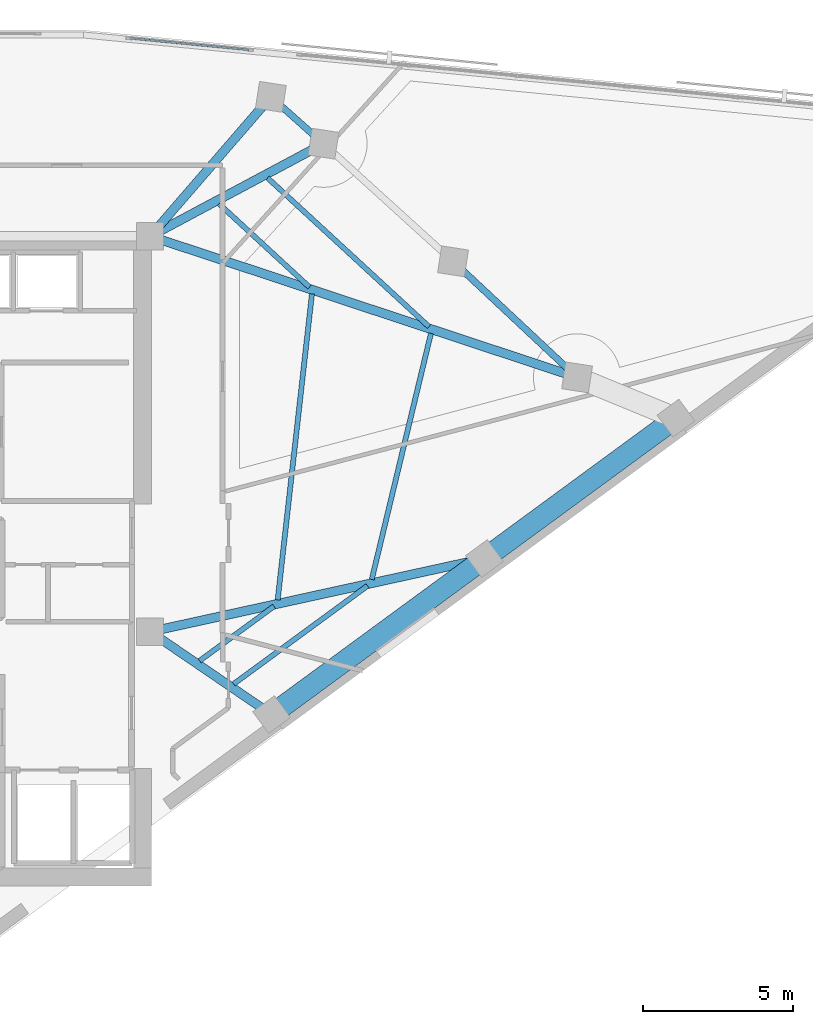
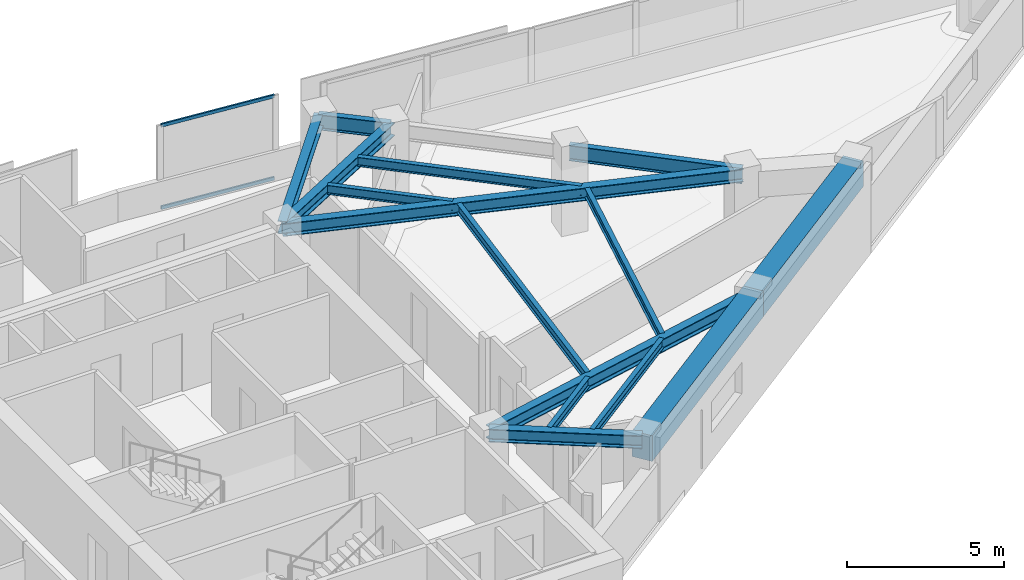
# One storey, part 4 of 13: 15 beams, 2 members, 1 element without a shape of its own.
"""IFC4 building model written with IfcOpenShell, lengths in metres."""

from ifc_helpers import new_model, si_unit, direction, frame, origin, origin_2d, place, context, subcontext, project, spatial, rectangle, hollow_rectangle, i_section, extrude, material, material_profile, profile_set, type_object, element, aggregate, save


model = new_model("IFC4")

# Units and contexts
model_context = context("Model", 3, precision=1e-05, world=origin(), true_north=direction((0.0, 1.0)))
body_context = subcontext(model_context, "Body", "Model", "MODEL_VIEW")
ifc_project = project(units=[si_unit("LENGTHUNIT", "METRE"), si_unit("AREAUNIT", "SQUARE_METRE"), si_unit("VOLUMEUNIT", "CUBIC_METRE"), si_unit("PLANEANGLEUNIT", "RADIAN"), si_unit("MASSUNIT", "GRAM", prefix="KILO")], contexts=[model_context])

# Site, building, storey
site_placement = place(None, origin())
site = spatial("IfcSite", under=ifc_project, at=site_placement, CompositionType="ELEMENT")
building_placement = place(site_placement, origin())
building = spatial("IfcBuilding", under=site, at=building_placement, Name="Narakoshi Arena Tower", CompositionType="ELEMENT")
storey_placement = place(building_placement, frame((0.0, 0.0, 257.219970703125)))
storey = spatial("IfcBuildingStorey", under=building, at=storey_placement, Name="L70", CompositionType="ELEMENT", Elevation=257.219970703125)

# Beams
ifc_material_1 = material(Name="Concrete C60/75", Category="concrete")
ifc_material_profile_1 = material_profile(ifc_material_1, rectangle(XDim=0.699951171875, YDim=1.0, at=origin_2d()), Name="RCB700x1000")
ifc_profile_set_1 = profile_set([ifc_material_profile_1], Name="Concrete C60/75")
beam_type_1 = type_object("IfcBeamType", Name="BM-CPL-1000", PredefinedType="BEAM", material=ifc_profile_set_1)
beam_1_placement = place(storey_placement, frame((89.58642578125, 40.594482421875, 2.760009765625), z_axis=(0.806446564509, 0.591306974922, 0.0), x_axis=(-0.591306974922, 0.806446564509, 0.0)))
element("IfcBeam", 1, at=beam_1_placement, inside=storey, type_object=beam_type_1, Name="L70 Perimeter Edge Girder 01", PredefinedType="BEAM", context=body_context, shape_type="SweptSolid", body=[
    extrude(rectangle(XDim=0.699951171875, YDim=1.0, at=origin_2d()), origin(), (0.0, 0.0, 1.0), 8.775390625),
])
beam_2_placement = place(storey_placement, frame((96.663330078125, 45.783447265625, 2.760009765625), z_axis=(0.806437425649, 0.59131943864, 0.0), x_axis=(-0.59131943864, 0.806437425649, 0.0)))
element("IfcBeam", 2, at=beam_2_placement, inside=storey, type_object=beam_type_1, Name="L70 Perimeter Edge Girder 02", PredefinedType="BEAM", context=body_context, shape_type="SweptSolid", body=[
    extrude(rectangle(XDim=0.699951171875, YDim=1.0, at=origin_2d()), origin(), (0.0, 0.0, 1.0), 7.89794921875),
])
ifc_material_2 = material(Name="Structural steel S355J2", Category="steel")
ifc_material_profile_2 = material_profile(ifc_material_2, i_section(OverallWidth=0.219970703125, OverallDepth=0.60009765625, WebThickness=0.011962890625, FlangeThickness=0.01904296875, FilletRadius=0.02392578125, at=origin_2d()), Name="IPE600")
ifc_profile_set_2 = profile_set([ifc_material_profile_2], Name="Structural steel S355J2")
beam_type_2 = type_object("IfcBeamType", Name="BM-EDGE-600", PredefinedType="BEAM", material=ifc_profile_set_2)
beam_3_placement = place(storey_placement, frame((99.74267578125, 51.80712890625, 2.9599609375), z_axis=(-0.730193480459, 0.683240427006, 0.0), x_axis=(-0.683240427006, -0.730193480459, 0.0)))
element("IfcBeam", 3, at=beam_3_placement, inside=storey, type_object=beam_type_2, Name="L70 Perimeter Edge Girder 04", PredefinedType="BEAM", context=body_context, shape_type="SweptSolid", body=[
    extrude(i_section(OverallWidth=0.219970703125, OverallDepth=0.60009765625, WebThickness=0.011962890625, FlangeThickness=0.01904296875, FilletRadius=0.02392578125, at=origin_2d()), origin(), (0.0, 0.0, 1.0), 5.646728515625),
])
beam_4_placement = place(storey_placement, frame((91.311279296875, 59.576416015625, 2.9599609375), z_axis=(-0.746770864852, 0.665081405099, 0.0), x_axis=(-0.665081405099, -0.746770864852, 0.0)))
element("IfcBeam", 4, at=beam_4_placement, inside=storey, type_object=beam_type_2, Name="L70 Perimeter Edge Girder 06", PredefinedType="BEAM", context=body_context, shape_type="SweptSolid", body=[
    extrude(i_section(OverallWidth=0.219970703125, OverallDepth=0.60009765625, WebThickness=0.011962890625, FlangeThickness=0.01904296875, FilletRadius=0.02392578125, at=origin_2d()), origin(), (0.0, 0.0, 1.0), 2.343017578125),
])
ifc_material_profile_3 = material_profile(ifc_material_2, i_section(OverallWidth=0.300048828125, OverallDepth=0.5, WebThickness=0.014404296875, FlangeThickness=0.028076171875, FilletRadius=0.027099609375, at=origin_2d()), Name="HE500B")
ifc_profile_set_3 = profile_set([ifc_material_profile_3], Name="Structural steel S355J2")
beam_type_3 = type_object("IfcBeamType", Name="BM-PRI-500", PredefinedType="BEAM", material=ifc_profile_set_3)
beam_5_placement = place(storey_placement, frame((85.550048828125, 43.35009765625, 3.010009765625), z_axis=(0.825890057955, -0.563831191201, 0.0), x_axis=(0.563831191201, 0.825890057955, 0.0)))
element("IfcBeam", 5, at=beam_5_placement, inside=storey, type_object=beam_type_3, Name="L70 Radial Primary Floor Girder 01", PredefinedType="BEAM", context=body_context, shape_type="SweptSolid", body=[
    extrude(i_section(OverallWidth=0.300048828125, OverallDepth=0.5, WebThickness=0.014404296875, FlangeThickness=0.028076171875, FilletRadius=0.027099609375, at=origin_2d()), origin(), (0.0, 0.0, 1.0), 4.88720703125),
])
beam_6_placement = place(storey_placement, frame((85.550048828125, 43.35009765625, 3.010009765625), z_axis=(0.976857438099, 0.213891434216, 0.0), x_axis=(-0.213891434216, 0.976857438099, 0.0)))
element("IfcBeam", 6, at=beam_6_placement, inside=storey, type_object=beam_type_3, Name="L70 Radial Primary Floor Girder 02", PredefinedType="BEAM", context=body_context, shape_type="SweptSolid", body=[
    extrude(i_section(OverallWidth=0.300048828125, OverallDepth=0.5, WebThickness=0.014404296875, FlangeThickness=0.028076171875, FilletRadius=0.027099609375, at=origin_2d()), origin(), (0.0, 0.0, 1.0), 11.37646484375),
])
beam_7_placement = place(storey_placement, frame((85.550048828125, 56.5, 3.010009765625), z_axis=(0.949443255158, -0.31393869662, 0.0), x_axis=(0.31393869662, 0.949443255158, 0.0)))
element("IfcBeam", 7, at=beam_7_placement, inside=storey, type_object=beam_type_3, Name="L70 Radial Primary Floor Girder 04", PredefinedType="BEAM", context=body_context, shape_type="SweptSolid", body=[
    extrude(i_section(OverallWidth=0.300048828125, OverallDepth=0.5, WebThickness=0.014404296875, FlangeThickness=0.028076171875, FilletRadius=0.027099609375, at=origin_2d()), origin(), (0.0, 0.0, 1.0), 14.948486328125),
])
beam_8_placement = place(storey_placement, frame((85.550048828125, 56.5, 3.010009765625), z_axis=(0.882113796729, 0.471036357004, 0.0), x_axis=(-0.471036357004, 0.882113796729, 0.0)))
element("IfcBeam", 8, at=beam_8_placement, inside=storey, type_object=beam_type_3, Name="L70 Radial Primary Floor Girder 06", PredefinedType="BEAM", context=body_context, shape_type="SweptSolid", body=[
    extrude(i_section(OverallWidth=0.300048828125, OverallDepth=0.5, WebThickness=0.014404296875, FlangeThickness=0.028076171875, FilletRadius=0.027099609375, at=origin_2d()), origin(), (0.0, 0.0, 1.0), 6.53125),
])
beam_9_placement = place(storey_placement, frame((85.550048828125, 56.5, 3.010009765625), z_axis=(0.654434553487, 0.756118651537, 0.0), x_axis=(-0.756118651537, 0.654434553487, 0.0)))
element("IfcBeam", 9, at=beam_9_placement, inside=storey, type_object=beam_type_3, Name="L70 Radial Primary Floor Girder 07", PredefinedType="BEAM", context=body_context, shape_type="SweptSolid", body=[
    extrude(i_section(OverallWidth=0.300048828125, OverallDepth=0.5, WebThickness=0.014404296875, FlangeThickness=0.028076171875, FilletRadius=0.027099609375, at=origin_2d()), origin(), (0.0, 0.0, 1.0), 6.129638671875),
])
ifc_material_profile_4 = material_profile(ifc_material_2, i_section(OverallWidth=0.169921875, OverallDepth=0.360107421875, WebThickness=0.008056640625, FlangeThickness=0.0126953125, FilletRadius=0.01806640625, at=origin_2d()), Name="IPE360")
ifc_profile_set_4 = profile_set([ifc_material_profile_4], Name="Structural steel S355J2")
beam_type_4 = type_object("IfcBeamType", Name="BM-SEC-360", PredefinedType="JOIST", material=ifc_profile_set_4)
beam_10_placement = place(storey_placement, frame((87.192626953125, 42.3828125, 3.080078125), z_axis=(0.806491095196, 0.59124623751, 0.0), x_axis=(-0.59124623751, 0.806491095196, 0.0)))
element("IfcBeam", 10, at=beam_10_placement, inside=storey, type_object=beam_type_4, Name="L70 Composite Secondary Floor Joist 01", PredefinedType="JOIST", context=body_context, shape_type="SweptSolid", body=[
    extrude(i_section(OverallWidth=0.169921875, OverallDepth=0.360107421875, WebThickness=0.008056640625, FlangeThickness=0.0126953125, FilletRadius=0.01806640625, at=origin_2d()), origin(), (0.0, 0.0, 1.0), 3.064697265625),
])
beam_11_placement = place(storey_placement, frame((88.322998046875, 41.611083984375, 3.080078125), z_axis=(0.80643170275, 0.591327243411, 0.0), x_axis=(-0.591327243411, 0.80643170275, 0.0)))
element("IfcBeam", 11, at=beam_11_placement, inside=storey, type_object=beam_type_4, Name="L70 Composite Secondary Floor Joist 02", PredefinedType="JOIST", context=body_context, shape_type="SweptSolid", body=[
    extrude(i_section(OverallWidth=0.169921875, OverallDepth=0.360107421875, WebThickness=0.008056640625, FlangeThickness=0.0126953125, FilletRadius=0.01806640625, at=origin_2d()), origin(), (0.0, 0.0, 1.0), 5.521728515625),
])
beam_12_placement = place(storey_placement, frame((89.7880859375, 44.408935546875, 3.080078125), z_axis=(0.111371154474, 0.99377888182, 0.0), x_axis=(-0.99377888182, 0.111371154474, 0.0)))
element("IfcBeam", 12, at=beam_12_placement, inside=storey, type_object=beam_type_4, Name="L70 Composite Secondary Floor Joist 03", PredefinedType="JOIST", context=body_context, shape_type="SweptSolid", body=[
    extrude(i_section(OverallWidth=0.169921875, OverallDepth=0.360107421875, WebThickness=0.008056640625, FlangeThickness=0.0126953125, FilletRadius=0.01806640625, at=origin_2d()), origin(), (0.0, 0.0, 1.0), 10.2373046875),
])
beam_13_placement = place(storey_placement, frame((92.91650390625, 45.08740234375, 3.080078125), z_axis=(0.233913716511, 0.972257359565, 0.0), x_axis=(-0.972257359565, 0.233913716511, 0.0)))
element("IfcBeam", 13, at=beam_13_placement, inside=storey, type_object=beam_type_4, Name="L70 Composite Secondary Floor Joist 04", PredefinedType="JOIST", context=body_context, shape_type="SweptSolid", body=[
    extrude(i_section(OverallWidth=0.169921875, OverallDepth=0.360107421875, WebThickness=0.008056640625, FlangeThickness=0.0126953125, FilletRadius=0.01806640625, at=origin_2d()), origin(), (0.0, 0.0, 1.0), 8.417724609375),
])
beam_14_placement = place(storey_placement, frame((90.843994140625, 54.80810546875, 3.080078125), z_axis=(-0.735400942235, 0.677632241086, 0.0), x_axis=(-0.677632241086, -0.735400942235, 0.0)))
element("IfcBeam", 14, at=beam_14_placement, inside=storey, type_object=beam_type_4, Name="L70 Composite Secondary Floor Joist 05", PredefinedType="JOIST", context=body_context, shape_type="SweptSolid", body=[
    extrude(i_section(OverallWidth=0.169921875, OverallDepth=0.360107421875, WebThickness=0.008056640625, FlangeThickness=0.0126953125, FilletRadius=0.01806640625, at=origin_2d()), origin(), (0.0, 0.0, 1.0), 4.086669921875),
])
beam_15_placement = place(storey_placement, frame((94.81787109375, 53.494140625, 3.080078125), z_axis=(-0.735390648624, 0.677643412066, 0.0), x_axis=(-0.677643412066, -0.735390648624, 0.0)))
element("IfcBeam", 15, at=beam_15_placement, inside=storey, type_object=beam_type_4, Name="L70 Composite Secondary Floor Joist 06", PredefinedType="JOIST", context=body_context, shape_type="SweptSolid", body=[
    extrude(i_section(OverallWidth=0.169921875, OverallDepth=0.360107421875, WebThickness=0.008056640625, FlangeThickness=0.0126953125, FilletRadius=0.01806640625, at=origin_2d()), origin(), (0.0, 0.0, 1.0), 7.297119140625),
])

# Curtain wall, members
ifc_material_3 = material(Name="Anodised bronze aluminium 6063-T6", Category="aluminium")
curtain_wall_type = type_object("IfcCurtainWallType", Name="CW-HYP-HIGH", PredefinedType="NOTDEFINED", material=ifc_material_3)
curtain_wall_placement = place(storey_placement, origin())
curtain_wall = element("IfcCurtainWall", 16, at=curtain_wall_placement, inside=storey, type_object=curtain_wall_type, Name="L70 Folded Hypotenuse Curtain Wall 1-2", PredefinedType="NOTDEFINED")
ifc_material_profile_5 = material_profile(ifc_material_3, hollow_rectangle(XDim=0.06494140625, YDim=0.1298828125, WallThickness=0.00390625, OuterFilletRadius=0.0048828125, at=origin_2d()), Name="TRN130x65x4")
ifc_profile_set_5 = profile_set([ifc_material_profile_5], Name="Anodised bronze aluminium 6063-T6")
member_type = type_object("IfcMemberType", Name="MEM-TRN-130", PredefinedType="USERDEFINED", material=ifc_profile_set_5)
member_1_placement = place(storey_placement, frame((88.830810546875, 62.69775390625, 0.032470703125), z_axis=(-0.995301216231, 0.096827108647, 0.0), x_axis=(-0.096827108647, -0.995301216231, 0.0)))
member_1 = element("IfcMember", 17, at=member_1_placement, type_object=member_type, Name="CW-03 transom 1.1", ObjectType="TRANSOM", PredefinedType="USERDEFINED", context=body_context, shape_type="SweptSolid", body=[
    extrude(hollow_rectangle(XDim=0.06494140625, YDim=0.1298828125, WallThickness=0.00390625, OuterFilletRadius=0.0048828125, at=origin_2d()), origin(), (0.0, 0.0, 1.0), 3.9560546875),
])
member_2_placement = place(storey_placement, frame((88.830810546875, 62.69775390625, 3.2275390625), z_axis=(-0.995301216231, 0.096827108647, 0.0), x_axis=(-0.096827108647, -0.995301216231, 0.0)))
member_2 = element("IfcMember", 18, at=member_2_placement, type_object=member_type, Name="CW-03 transom 1.2", ObjectType="TRANSOM", PredefinedType="USERDEFINED", context=body_context, shape_type="SweptSolid", body=[
    extrude(hollow_rectangle(XDim=0.06494140625, YDim=0.1298828125, WallThickness=0.00390625, OuterFilletRadius=0.0048828125, at=origin_2d()), origin(), (0.0, 0.0, 1.0), 3.9560546875),
])
aggregate(curtain_wall, [member_1, member_2])

save(model, "model.ifc")
